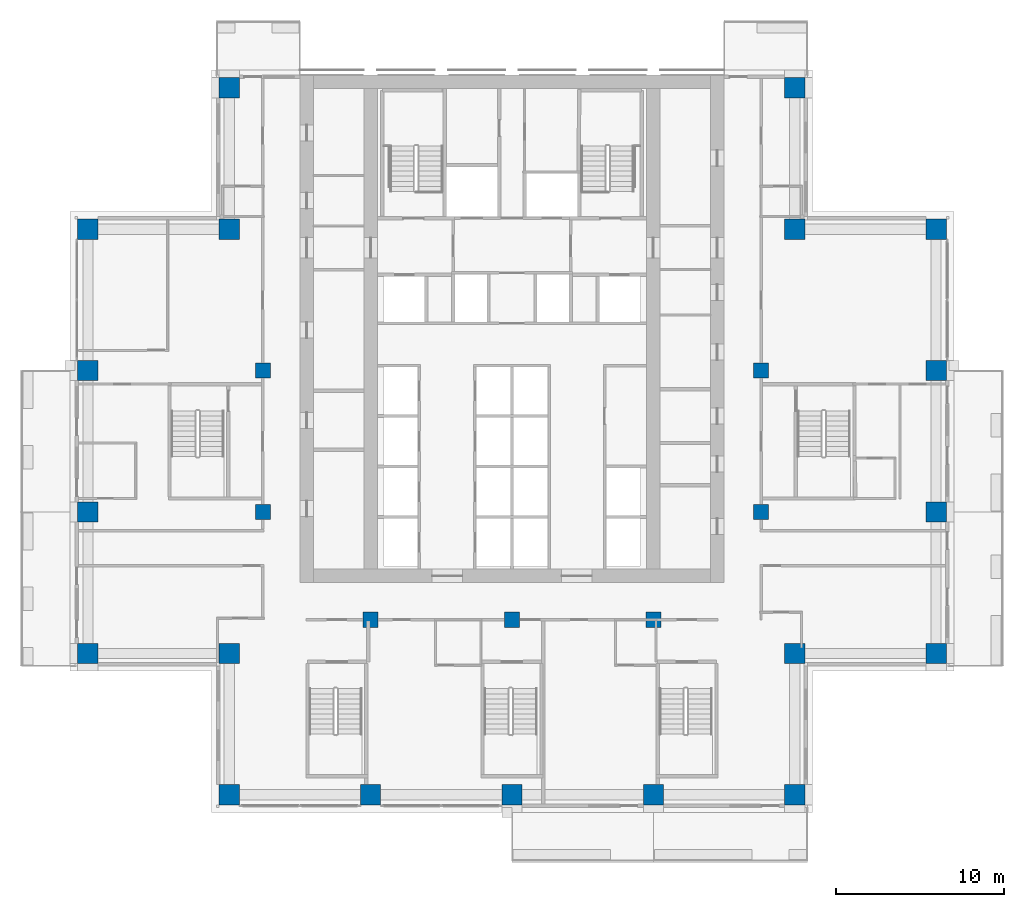
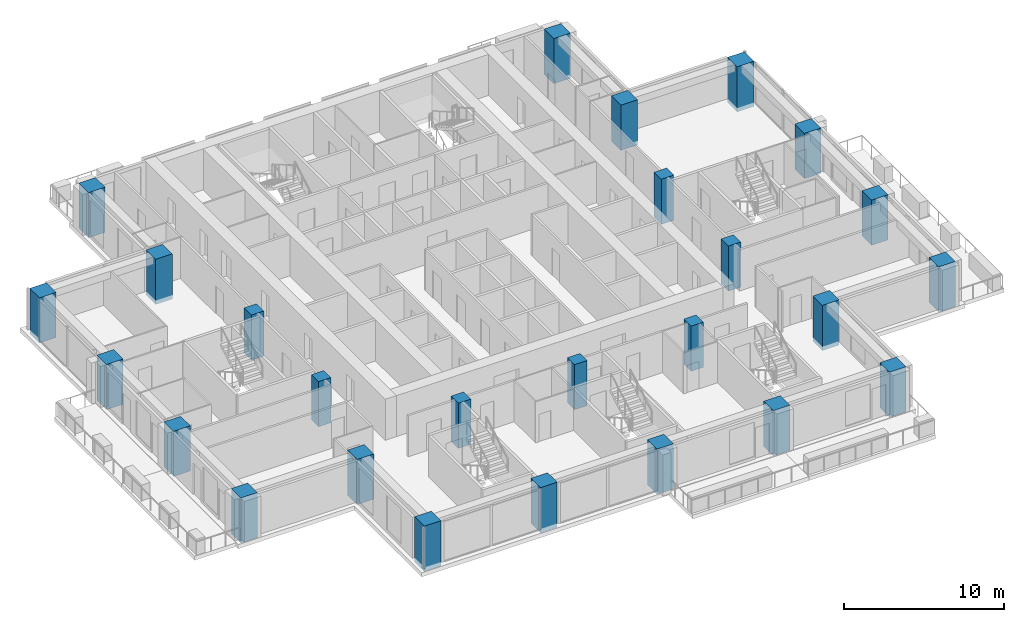
# One storey, part 1 of 18: 26 columns.
"""IFC4 building model written with IfcOpenShell, lengths in metres."""

from ifc_helpers import new_model, si_unit, direction, frame, origin, origin_2d, place, context, subcontext, project, spatial, rectangle, extrude, material, material_profile, profile_set, type_object, element, save


model = new_model("IFC4")

# Units and contexts
model_context = context("Model", 3, precision=1e-05, world=origin(), true_north=direction((0.0, 1.0)))
body_context = subcontext(model_context, "Body", "Model", "MODEL_VIEW")
ifc_project = project(units=[si_unit("LENGTHUNIT", "METRE"), si_unit("AREAUNIT", "SQUARE_METRE"), si_unit("VOLUMEUNIT", "CUBIC_METRE"), si_unit("PLANEANGLEUNIT", "RADIAN"), si_unit("MASSUNIT", "GRAM", prefix="KILO")], contexts=[model_context])

# Site, building, storey
site_placement = place(None, origin())
site = spatial("IfcSite", under=ifc_project, at=site_placement, CompositionType="ELEMENT")
building_placement = place(site_placement, origin())
building = spatial("IfcBuilding", under=site, at=building_placement, Name="Vermilion Ogive Tower", CompositionType="ELEMENT")
storey_placement = place(building_placement, frame((0.0, 0.0, 108.0)))
storey = spatial("IfcBuildingStorey", under=building, at=storey_placement, Name="L27", CompositionType="ELEMENT", Elevation=108.0)

# Columns
ifc_material_1 = material(Name="Concrete B80", Category="concrete")
ifc_material_profile_1 = material_profile(ifc_material_1, rectangle(XDim=1.199951171875, YDim=1.199951171875, at=origin_2d()), Name="1200 x 1200")
ifc_profile_set_1 = profile_set([ifc_material_profile_1], Name="Concrete B80")
column_type_1 = type_object("IfcColumnType", Name="Perimeter column 1200 x 1200 B80", PredefinedType="COLUMN", material=ifc_profile_set_1)
for number, where, z_axis, x_axis, name in (
    (1, (-16.800048828125, -21.0, -0.320068359375), (0.0, 0.0, 1.0), (1.0, 0.0, 0.0), "COL-L27-P-0168-210"),
    (2, (-8.39990234375, -21.0, -0.320068359375), (0.0, 0.0, 1.0), (1.0, 0.0, 0.0), "COL-L27-P-0084-210"),
    (3, (0.0, -21.0, -0.320068359375), (0.0, 0.0, 1.0), (1.0, 0.0, 0.0), "COL-L27-P+0000-210"),
    (4, (8.39990234375, -21.0, -0.320068359375), (0.0, 0.0, 1.0), (1.0, 0.0, 0.0), "COL-L27-P+0084-210"),
    (5, (16.800048828125, -21.0, -0.320068359375), (0.0, 0.0, 1.0), (1.0, 0.0, 0.0), "COL-L27-P+0168-210"),
    (6, (-25.199951171875, -12.60009765625, -0.320068359375), (0.0, 0.0, 1.0), (1.0, 0.0, 0.0), "COL-L27-P-0252-126"),
    (7, (-16.800048828125, -12.60009765625, -0.320068359375), (0.0, 0.0, 1.0), (1.0, 0.0, 0.0), "COL-L27-P-0168-126"),
    (8, (16.800048828125, -12.60009765625, -0.320068359375), (0.0, 0.0, 1.0), (1.0, 0.0, 0.0), "COL-L27-P+0168-126"),
    (9, (25.199951171875, -12.60009765625, -0.320068359375), (0.0, 0.0, 1.0), (1.0, 0.0, 0.0), "COL-L27-P+0252-126"),
    (10, (-25.199951171875, -4.199951171875, -0.320068359375), (0.0, 0.0, 1.0), (1.0, 0.0, 0.0), "COL-L27-P-0252-042"),
    (11, (25.199951171875, -4.199951171875, -0.320068359375), (0.0, 0.0, 1.0), (1.0, 0.0, 0.0), "COL-L27-P+0252-042"),
    (12, (-25.199951171875, 4.199951171875, -0.320068359375), (0.0, 0.0, 1.0), (1.0, 0.0, 0.0), "COL-L27-P-0252+042"),
    (13, (25.199951171875, 4.199951171875, -0.320068359375), (0.0, 0.0, 1.0), (1.0, 0.0, 0.0), "COL-L27-P+0252+042"),
    (14, (-25.199951171875, 12.60009765625, -0.320068359375), (0.0, 0.0, 1.0), (1.0, 0.0, 0.0), "COL-L27-P-0252+126"),
    (15, (-16.800048828125, 12.60009765625, -0.320068359375), (0.0, 0.0, 1.0), (1.0, 0.0, 0.0), "COL-L27-P-0168+126"),
    (16, (16.800048828125, 12.60009765625, -0.320068359375), (0.0, 0.0, 1.0), (1.0, 0.0, 0.0), "COL-L27-P+0168+126"),
    (17, (25.199951171875, 12.60009765625, -0.320068359375), (0.0, 0.0, 1.0), (1.0, 0.0, 0.0), "COL-L27-P+0252+126"),
    (18, (-16.800048828125, 21.0, -0.320068359375), (0.0, 0.0, 1.0), (1.0, 0.0, 0.0), "COL-L27-P-0168+210"),
    (19, (16.800048828125, 21.0, -0.320068359375), (0.0, 0.0, 1.0), (1.0, 0.0, 0.0), "COL-L27-P+0168+210"),
):
    element("IfcColumn", number, at=place(storey_placement, frame(where, z_axis=z_axis, x_axis=x_axis)), inside=storey, type_object=column_type_1, Name=name, PredefinedType="COLUMN", context=body_context, shape_type="SweptSolid", body=[
        extrude(rectangle(XDim=1.199951171875, YDim=1.199951171875, at=origin_2d()), origin(), (0.0, 0.0, 1.0), 3.449951171875),
    ])
ifc_material_2 = material(Name="Concrete B80", Category="concrete")
ifc_material_profile_2 = material_profile(ifc_material_2, rectangle(XDim=0.89990234375, YDim=0.89990234375, at=origin_2d()), Name="900 x 900")
ifc_profile_set_2 = profile_set([ifc_material_profile_2], Name="Concrete B80")
column_type_2 = type_object("IfcColumnType", Name="Ring column 900 x 900 B80", PredefinedType="COLUMN", material=ifc_profile_set_2)
for number, where, z_axis, x_axis, name in (
    (20, (-8.39990234375, -10.60009765625, -0.320068359375), (0.0, 0.0, 1.0), (1.0, 0.0, 0.0), "COL-L27-R-0084-106"),
    (21, (0.0, -10.60009765625, -0.320068359375), (0.0, 0.0, 1.0), (1.0, 0.0, 0.0), "COL-L27-R+0000-106"),
    (22, (8.39990234375, -10.60009765625, -0.320068359375), (0.0, 0.0, 1.0), (1.0, 0.0, 0.0), "COL-L27-R+0084-106"),
    (23, (-14.800048828125, -4.199951171875, -0.320068359375), (0.0, 0.0, 1.0), (1.0, 0.0, 0.0), "COL-L27-R-0148-042"),
    (24, (14.800048828125, -4.199951171875, -0.320068359375), (0.0, 0.0, 1.0), (1.0, 0.0, 0.0), "COL-L27-R+0148-042"),
    (25, (-14.800048828125, 4.199951171875, -0.320068359375), (0.0, 0.0, 1.0), (1.0, 0.0, 0.0), "COL-L27-R-0148+042"),
    (26, (14.800048828125, 4.199951171875, -0.320068359375), (0.0, 0.0, 1.0), (1.0, 0.0, 0.0), "COL-L27-R+0148+042"),
):
    element("IfcColumn", number, at=place(storey_placement, frame(where, z_axis=z_axis, x_axis=x_axis)), inside=storey, type_object=column_type_2, Name=name, PredefinedType="COLUMN", context=body_context, shape_type="SweptSolid", body=[
        extrude(rectangle(XDim=0.89990234375, YDim=0.89990234375, at=origin_2d()), origin(), (0.0, 0.0, 1.0), 3.449951171875),
    ])

save(model, "model.ifc")
